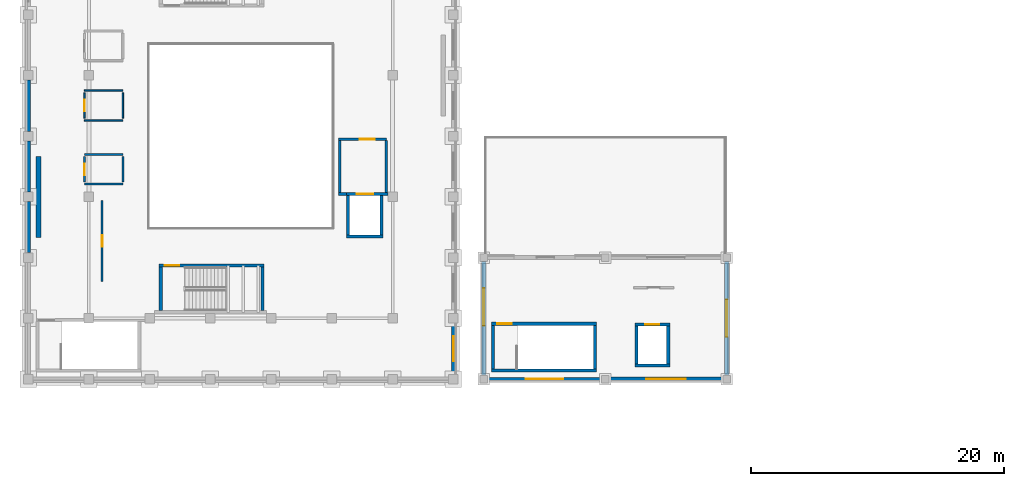
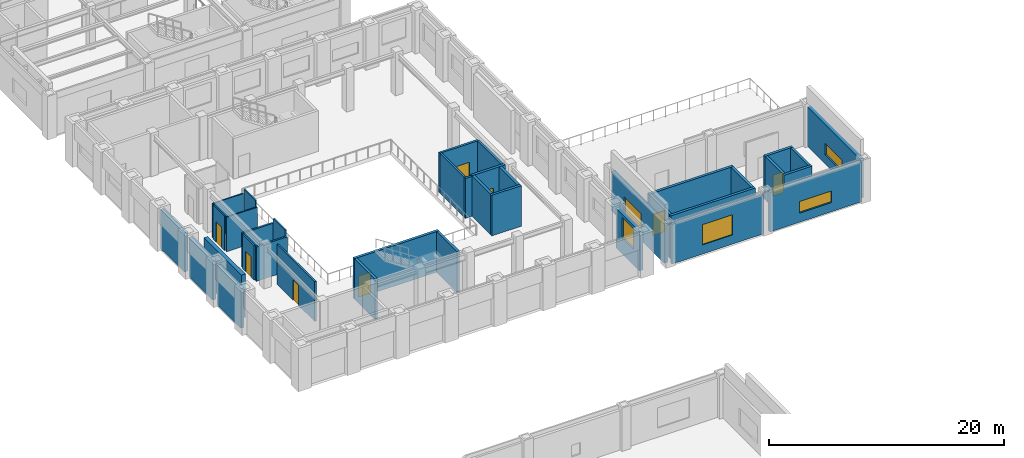
# One storey, part 27 of 46: 37 walls, 8 doors, 5 windows, 13 openings.
"""IFC4 building model written with IfcOpenShell, lengths in metres."""

from ifc_helpers import new_model, si_unit, direction, frame, frame_2d, origin, place, context, subcontext, project, spatial, rectangle, extrude, material, layer, layer_set, type_object, element, fill, save


model = new_model("IFC4")

# Units and contexts
model_context = context("Model", 3, precision=1e-05, world=origin(), true_north=direction((0.0, 1.0)))
body_context = subcontext(model_context, "Body", "Model", "MODEL_VIEW")
ifc_project = project(units=[si_unit("LENGTHUNIT", "METRE"), si_unit("AREAUNIT", "SQUARE_METRE"), si_unit("VOLUMEUNIT", "CUBIC_METRE"), si_unit("PLANEANGLEUNIT", "RADIAN"), si_unit("MASSUNIT", "GRAM", prefix="KILO")], contexts=[model_context])

# Site, building, storey
site_placement = place(None, origin())
site = spatial("IfcSite", under=ifc_project, at=site_placement, CompositionType="ELEMENT")
building_placement = place(site_placement, origin())
building = spatial("IfcBuilding", under=site, at=building_placement, Name="Mavantir Sound Aquarium", CompositionType="ELEMENT")
storey_placement = place(building_placement, frame((0.0, 0.0, 15.300048828125)))
storey = spatial("IfcBuildingStorey", under=building, at=storey_placement, Name="L03", CompositionType="ELEMENT", Elevation=15.300048828125)

# Wall, opening, window
ifc_material_1 = material(Name="Coral-Buff Architectural Precast Concrete C40/50", Category="concrete")
ifc_layer_1 = layer(ifc_material_1, 0.340087890625, Name="Coral-Buff Architectural Precast Concrete C40/50")
ifc_layer_set_1 = layer_set([ifc_layer_1], Name="Coral-Buff Architectural Precast Concrete C40/50")
wall_type_1 = type_object("IfcWallType", Name="EW-CORAL-340", PredefinedType="SOLIDWALL", material=ifc_layer_set_1)
wall_1_placement = place(storey_placement, frame((33.60009765625, 41.18310546875, 0.0), z_axis=(0.0, 0.0, 1.0), x_axis=(0.0, 1.0, 0.0)))
wall_1 = element("IfcWall", 1, at=wall_1_placement, inside=storey, type_object=wall_type_1, Name="L03 exterior facade wall EW-01 301", PredefinedType="SOLIDWALL", context=body_context, shape_type="SweptSolid", body=[
    extrude(rectangle(XDim=4.033935546875, YDim=0.340087890625, at=frame_2d((2.01708984375, 0.0))), origin(), (0.0, 0.0, 1.0), 4.074951171875),
])
opening_1_placement = place(wall_1_placement, frame((1.0419921875, 0.0, 1.64990234375)))
opening_1 = element("IfcOpeningElement", 2, at=opening_1_placement, cuts=wall_1, Name="Opening W-24", PredefinedType="OPENING", context=body_context, shape_type="SweptSolid", body=[
    extrude(rectangle(XDim=1.949951171875, YDim=2.10009765625, at=frame_2d((0.97509765625, 1.050048828125))), frame((0.0, 0.18017578125, 0.0), z_axis=(0.0, -1.0, 0.0), x_axis=(1.0, 0.0, 0.0)), (0.0, 0.0, 1.0), 0.360107421875),
])
ifc_material_2 = material(Name="Thermally Broken Aluminium and Low-E Glass", Category="aluminium")
window_type_1 = type_object("IfcWindowType", Name="WIN-EXT-24", PartitioningType="DOUBLE_PANEL_VERTICAL", PredefinedType="WINDOW", material=ifc_material_2)
window_1_placement = place(opening_1_placement, origin())
window_1 = element("IfcWindow", 3, at=window_1_placement, inside=storey, type_object=window_type_1, Name="L03 facade window W-24 120", OverallHeight=2.10009765625, OverallWidth=1.949951171875, PartitioningType="SINGLE_PANEL", PredefinedType="WINDOW", context=body_context, shape_type="SweptSolid", body=[
    extrude(rectangle(XDim=1.949951171875, YDim=2.10009765625, at=frame_2d((0.97509765625, 1.050048828125))), frame((0.0, 0.030029296875, 0.0), z_axis=(0.0, -1.0, 0.0), x_axis=(1.0, 0.0, 0.0)), (0.0, 0.0, 1.0), 0.06005859375),
])
fill(opening_1, window_1)

# Walls
for number, where, z_axis, x_axis, name in (
    (4, (0.0, 64.4169921875, 0.0), (0.0, 0.0, 1.0), (0.0, -1.0, 0.0), "L03 exterior facade wall EW-01 319"),
    (5, (0.0, 59.616943359375, 0.0), (0.0, 0.0, 1.0), (0.0, -1.0, 0.0), "L03 exterior facade wall EW-01 320"),
    (6, (0.0, 54.81689453125, 0.0), (0.0, 0.0, 1.0), (0.0, -1.0, 0.0), "L03 exterior facade wall EW-01 321"),
):
    element("IfcWall", number, at=place(storey_placement, frame(where, z_axis=z_axis, x_axis=x_axis)), inside=storey, type_object=wall_type_1, Name=name, PredefinedType="SOLIDWALL", context=body_context, shape_type="SweptSolid", body=[
        extrude(rectangle(XDim=4.033935546875, YDim=0.340087890625, at=frame_2d((2.01708984375, 0.0))), origin(), (0.0, 0.0, 1.0), 4.074951171875),
    ])

# Wall, opening, window
wall_2_placement = place(storey_placement, frame((55.199951171875, 41.10791015625, 0.0), z_axis=(0.0, 0.0, 1.0), x_axis=(0.0, 1.0, 0.0)))
wall_2 = element("IfcWall", 7, at=wall_2_placement, inside=storey, type_object=wall_type_1, Name="L03 exterior facade wall EW-01 331", PredefinedType="SOLIDWALL", context=body_context, shape_type="SweptSolid", body=[
    extrude(rectangle(XDim=8.984130859375, YDim=0.340087890625, at=frame_2d((4.4921875, 0.0))), origin(), (0.0, 0.0, 1.0), 4.1083984375),
])
opening_2_placement = place(wall_2_placement, frame((3.01708984375, 0.0, 0.949951171875)))
opening_2 = element("IfcOpeningElement", 8, at=opening_2_placement, cuts=wall_2, Name="Opening W-41", PredefinedType="OPENING", context=body_context, shape_type="SweptSolid", body=[
    extrude(rectangle(XDim=2.949951171875, YDim=1.199951171875, at=frame_2d((1.47509765625, 0.60009765625))), frame((0.0, 0.18017578125, 0.0), z_axis=(0.0, -1.0, 0.0), x_axis=(1.0, 0.0, 0.0)), (0.0, 0.0, 1.0), 0.360107421875),
])
window_type_2 = type_object("IfcWindowType", Name="WIN-EXT-41", PartitioningType="TRIPLE_PANEL_VERTICAL", PredefinedType="WINDOW", material=ifc_material_2)
window_2_placement = place(opening_2_placement, origin())
window_2 = element("IfcWindow", 9, at=window_2_placement, inside=storey, type_object=window_type_2, Name="L03 facade window W-41 137", OverallHeight=1.199951171875, OverallWidth=2.949951171875, PartitioningType="SINGLE_PANEL", PredefinedType="WINDOW", context=body_context, shape_type="SweptSolid", body=[
    extrude(rectangle(XDim=2.949951171875, YDim=1.199951171875, at=frame_2d((1.47509765625, 0.60009765625))), frame((0.0, 0.030029296875, 0.0), z_axis=(0.0, -1.0, 0.0), x_axis=(1.0, 0.0, 0.0)), (0.0, 0.0, 1.0), 0.06005859375),
])
fill(opening_2, window_2)

wall_3_placement = place(storey_placement, frame((45.907958984375, 40.800048828125, 0.0), z_axis=(0.0, 0.0, 1.0), x_axis=(1.0, 0.0, 0.0)))
wall_3 = element("IfcWall", 10, at=wall_3_placement, inside=storey, type_object=wall_type_1, Name="L03 exterior facade wall EW-01 337", PredefinedType="SOLIDWALL", context=body_context, shape_type="SweptSolid", body=[
    extrude(rectangle(XDim=8.984130859375, YDim=0.340087890625, at=frame_2d((4.4921875, 0.0))), origin(), (0.0, 0.0, 1.0), 4.1083984375),
])
opening_3_placement = place(wall_3_placement, frame((2.9169921875, 0.0, 0.949951171875)))
opening_3 = element("IfcOpeningElement", 11, at=opening_3_placement, cuts=wall_3, Name="Opening W-45", PredefinedType="OPENING", context=body_context, shape_type="SweptSolid", body=[
    extrude(rectangle(XDim=3.14990234375, YDim=1.199951171875, at=frame_2d((1.574951171875, 0.60009765625))), frame((0.0, 0.18017578125, 0.0), z_axis=(0.0, -1.0, 0.0), x_axis=(1.0, 0.0, 0.0)), (0.0, 0.0, 1.0), 0.360107421875),
])
window_type_3 = type_object("IfcWindowType", Name="WIN-EXT-45", PartitioningType="TRIPLE_PANEL_VERTICAL", PredefinedType="WINDOW", material=ifc_material_2)
window_3_placement = place(opening_3_placement, origin())
window_3 = element("IfcWindow", 12, at=window_3_placement, inside=storey, type_object=window_type_3, Name="L03 facade window W-45 141", OverallHeight=1.199951171875, OverallWidth=3.14990234375, PartitioningType="SINGLE_PANEL", PredefinedType="WINDOW", context=body_context, shape_type="SweptSolid", body=[
    extrude(rectangle(XDim=3.14990234375, YDim=1.199951171875, at=frame_2d((1.574951171875, 0.60009765625))), frame((0.0, 0.030029296875, 0.0), z_axis=(0.0, -1.0, 0.0), x_axis=(1.0, 0.0, 0.0)), (0.0, 0.0, 1.0), 0.06005859375),
])
fill(opening_3, window_3)

ifc_material_3 = material(Name="Architectural Precast Concrete C40/50", Category="concrete")
ifc_layer_2 = layer(ifc_material_3, 0.239990234375, Name="Architectural Precast Concrete C40/50")
ifc_layer_set_2 = layer_set([ifc_layer_2], Name="Architectural Precast Concrete C40/50")
wall_type_2 = type_object("IfcWallType", Name="EW-PRE-240", PredefinedType="SOLIDWALL", material=ifc_layer_set_2)
wall_4_placement = place(storey_placement, frame((36.30810546875, 40.800048828125, 0.0), z_axis=(0.0, 0.0, 1.0), x_axis=(1.0, 0.0, 0.0)))
wall_4 = element("IfcWall", 13, at=wall_4_placement, inside=storey, type_object=wall_type_2, Name="L03 exterior facade wall EW-06 336", PredefinedType="SOLIDWALL", context=body_context, shape_type="SweptSolid", body=[
    extrude(rectangle(XDim=8.98388671875, YDim=0.239990234375, at=frame_2d((4.491943359375, 0.0))), origin(), (0.0, 0.0, 1.0), 4.1083984375),
])
opening_4_placement = place(wall_4_placement, frame((3.01708984375, 0.0, 0.949951171875)))
opening_4 = element("IfcOpeningElement", 14, at=opening_4_placement, cuts=wall_4, Name="Opening W-44", PredefinedType="OPENING", context=body_context, shape_type="SweptSolid", body=[
    extrude(rectangle(XDim=2.949951171875, YDim=2.10009765625, at=frame_2d((1.47509765625, 1.050048828125))), frame((0.0, 0.1298828125, 0.0), z_axis=(0.0, -1.0, 0.0), x_axis=(1.0, 0.0, 0.0)), (0.0, 0.0, 1.0), 0.260009765625),
])
window_type_4 = type_object("IfcWindowType", Name="WIN-EXT-44", PartitioningType="TRIPLE_PANEL_VERTICAL", PredefinedType="WINDOW", material=ifc_material_2)
window_4_placement = place(opening_4_placement, origin())
window_4 = element("IfcWindow", 15, at=window_4_placement, inside=storey, type_object=window_type_4, Name="L03 facade window W-44 140", OverallHeight=2.10009765625, OverallWidth=2.949951171875, PartitioningType="SINGLE_PANEL", PredefinedType="WINDOW", context=body_context, shape_type="SweptSolid", body=[
    extrude(rectangle(XDim=2.949951171875, YDim=2.10009765625, at=frame_2d((1.47509765625, 1.050048828125))), frame((0.0, 0.030029296875, 0.0), z_axis=(0.0, -1.0, 0.0), x_axis=(1.0, 0.0, 0.0)), (0.0, 0.0, 1.0), 0.06005859375),
])
fill(opening_4, window_4)

ifc_layer_3 = layer(ifc_material_1, 0.360107421875, Name="Coral-Buff Architectural Precast Concrete C40/50")
ifc_layer_set_3 = layer_set([ifc_layer_3], Name="Coral-Buff Architectural Precast Concrete C40/50")
wall_type_3 = type_object("IfcWallType", Name="EW-PRE-360", PredefinedType="SOLIDWALL", material=ifc_layer_set_3)
wall_5_placement = place(storey_placement, frame((36.0, 50.092041015625, 0.0), z_axis=(0.0, 0.0, 1.0), x_axis=(0.0, -1.0, 0.0)))
wall_5 = element("IfcWall", 16, at=wall_5_placement, inside=storey, type_object=wall_type_3, Name="L03 exterior facade wall EW-05 335", PredefinedType="SOLIDWALL", context=body_context, shape_type="SweptSolid", body=[
    extrude(rectangle(XDim=8.984130859375, YDim=0.360107421875, at=frame_2d((4.4921875, 0.0))), origin(), (0.0, 0.0, 1.0), 4.1083984375),
])
opening_5_placement = place(wall_5_placement, frame((2.11181640625, 0.0, 0.949951171875)))
opening_5 = element("IfcOpeningElement", 17, at=opening_5_placement, cuts=wall_5, Name="Opening W-43", PredefinedType="OPENING", context=body_context, shape_type="SweptSolid", body=[
    extrude(rectangle(XDim=2.949951171875, YDim=1.800048828125, at=frame_2d((1.47509765625, 0.89990234375))), frame((0.0, 0.18994140625, 0.0), z_axis=(0.0, -1.0, 0.0), x_axis=(1.0, 0.0, 0.0)), (0.0, 0.0, 1.0), 0.380126953125),
])
window_type_5 = type_object("IfcWindowType", Name="WIN-EXT-43", PartitioningType="TRIPLE_PANEL_VERTICAL", PredefinedType="WINDOW", material=ifc_material_2)
window_5_placement = place(opening_5_placement, origin())
window_5 = element("IfcWindow", 18, at=window_5_placement, inside=storey, type_object=window_type_5, Name="L03 facade window W-43 139", OverallHeight=1.800048828125, OverallWidth=2.949951171875, PartitioningType="SINGLE_PANEL", PredefinedType="WINDOW", context=body_context, shape_type="SweptSolid", body=[
    extrude(rectangle(XDim=2.949951171875, YDim=1.800048828125, at=frame_2d((1.47509765625, 0.89990234375))), frame((0.0, 0.030029296875, 0.0), z_axis=(0.0, -1.0, 0.0), x_axis=(1.0, 0.0, 0.0)), (0.0, 0.0, 1.0), 0.06005859375),
])
fill(opening_5, window_5)

# Wall, opening, door
ifc_material_4 = material(Name="Concrete C40/50", Category="concrete")
ifc_layer_4 = layer(ifc_material_4, 0.199951171875, Name="Concrete C40/50")
ifc_layer_set_4 = layer_set([ifc_layer_4], Name="Concrete C40/50")
wall_type_4 = type_object("IfcWallType", Name="IW-FFL-200", PredefinedType="PARTITIONING", material=ifc_layer_set_4)
wall_6_placement = place(storey_placement, frame((24.5, 59.75, 0.0), z_axis=(0.0, 0.0, 1.0), x_axis=(1.0, 0.0, 0.0)))
wall_6 = element("IfcWall", 19, at=wall_6_placement, inside=storey, type_object=wall_type_4, Name="L03 firefighting lift lobby LC1 wall N", PredefinedType="PARTITIONING", context=body_context, shape_type="SweptSolid", body=[
    extrude(rectangle(XDim=3.800048828125, YDim=0.199951171875, at=frame_2d((1.89990234375, 0.0))), origin(), (0.0, 0.0, 1.0), 4.139892578125),
])
opening_6_placement = place(wall_6_placement, frame((1.699951171875, 0.0, 0.0)))
opening_6 = element("IfcOpeningElement", 20, at=opening_6_placement, cuts=wall_6, Name="Opening FD-01", PredefinedType="OPENING", context=body_context, shape_type="SweptSolid", body=[
    extrude(rectangle(XDim=1.199951171875, YDim=2.199951171875, at=frame_2d((0.60009765625, 1.10009765625))), frame((0.0, 0.10986328125, 0.0), z_axis=(0.0, -1.0, 0.0), x_axis=(1.0, 0.0, 0.0)), (0.0, 0.0, 1.0), 0.219970703125),
])
ifc_material_5 = material(Name="Fire-Rated Steel Lobby Door Leaf", Category="steel")
door_type_1 = type_object("IfcDoorType", Name="DR-FFL-120", OperationType="NOTDEFINED", PredefinedType="DOOR", material=ifc_material_5)
door_1_placement = place(opening_6_placement, origin())
door_1 = element("IfcDoor", 21, at=door_1_placement, inside=storey, type_object=door_type_1, Name="L03 firefighting lobby LC1 accommodation door", OperationType="SINGLE_SWING_RIGHT", OverallHeight=2.199951171875, OverallWidth=1.199951171875, PredefinedType="DOOR", context=body_context, shape_type="SweptSolid", body=[
    extrude(rectangle(XDim=1.199951171875, YDim=2.199951171875, at=frame_2d((0.60009765625, 1.10009765625))), frame((0.0, 0.02490234375, 0.0), z_axis=(0.0, -1.0, 0.0), x_axis=(1.0, 0.0, 0.0)), (0.0, 0.0, 1.0), 0.050048828125),
])
fill(opening_6, door_1)

# Walls
for number, where, z_axis, x_axis, name in (
    (22, (24.60009765625, 55.550048828125, 0.0), (0.0, 0.0, 1.0), (0.0, 1.0, 0.0), "L03 firefighting lift lobby LC1 wall W"),
    (23, (28.300048828125, 55.550048828125, 0.0), (0.0, 0.0, 1.0), (0.0, 1.0, 0.0), "L03 firefighting lift lobby LC1 wall E"),
):
    element("IfcWall", number, at=place(storey_placement, frame(where, z_axis=z_axis, x_axis=x_axis)), inside=storey, type_object=wall_type_4, Name=name, PredefinedType="PARTITIONING", context=body_context, shape_type="SweptSolid", body=[
        extrude(rectangle(XDim=4.099853515625, YDim=0.199951171875, at=frame_2d((2.0498046875, 0.0))), origin(), (0.0, 0.0, 1.0), 4.139892578125),
    ])
wall_7_placement = place(storey_placement, frame((24.5, 55.425048828125, 0.0), z_axis=(0.0, 0.0, 1.0), x_axis=(1.0, 0.0, 0.0)))
element("IfcWall", 24, at=wall_7_placement, inside=storey, type_object=wall_type_4, Name="L03 firefighting lift lobby LC1 return SW", PredefinedType="PARTITIONING", context=body_context, shape_type="SweptSolid", body=[
    extrude(rectangle(XDim=0.64990234375, YDim=0.199951171875, at=frame_2d((0.324951171875, 0.0))), origin(), (0.0, 0.0, 1.0), 4.139892578125),
])
ifc_material_6 = material(Name="Lightweight Partition Framing", Category="gypsum")
ifc_layer_5 = layer(ifc_material_6, 0.1201171875, Name="Lightweight Partition Framing")
ifc_layer_set_5 = layer_set([ifc_layer_5], Name="Lightweight Partition Framing")
wall_type_5 = type_object("IfcWallType", Name="IW-PART-120", PredefinedType="PARTITIONING", material=ifc_layer_set_5)
for number, where, z_axis, x_axis, name in (
    (25, (4.43994140625, 63.60009765625, 0.0), (0.0, 0.0, 1.0), (1.0, 0.0, 0.0), "L03 L03 Womens WC partition N"),
    (26, (4.43994140625, 61.25, 0.0), (0.0, 0.0, 1.0), (1.0, 0.0, 0.0), "L03 L03 Womens WC partition S"),
):
    element("IfcWall", number, at=place(storey_placement, frame(where, z_axis=z_axis, x_axis=x_axis)), inside=storey, type_object=wall_type_5, Name=name, PredefinedType="PARTITIONING", context=body_context, shape_type="SweptSolid", body=[
        extrude(rectangle(XDim=3.0400390625, YDim=0.1201171875, at=frame_2d((1.52001953125, 0.0))), origin(), (0.0, 0.0, 1.0), 3.574951171875),
    ])

# Wall, opening, door
wall_8_placement = place(storey_placement, frame((4.43994140625, 61.429931640625, 0.0), z_axis=(0.0, 0.0, 1.0), x_axis=(0.0, 1.0, 0.0)))
wall_8 = element("IfcWall", 27, at=wall_8_placement, inside=storey, type_object=wall_type_5, Name="L03 L03 Womens WC partition W", PredefinedType="PARTITIONING", context=body_context, shape_type="SweptSolid", body=[
    extrude(rectangle(XDim=1.989990234375, YDim=0.1201171875, at=frame_2d((0.9951171875, 0.0))), origin(), (0.0, 0.0, 1.0), 3.574951171875),
])
opening_7_placement = place(wall_8_placement, frame((0.534912109375, 0.0, 0.0)))
opening_7 = element("IfcOpeningElement", 28, at=opening_7_placement, cuts=wall_8, Name="Opening ID-01", PredefinedType="OPENING", context=body_context, shape_type="SweptSolid", body=[
    extrude(rectangle(XDim=0.919921875, YDim=2.1201171875, at=frame_2d((0.4599609375, 1.06005859375))), frame((0.0, 0.070068359375, 0.0), z_axis=(0.0, -1.0, 0.0), x_axis=(1.0, 0.0, 0.0)), (0.0, 0.0, 1.0), 0.14013671875),
])
ifc_material_7 = material(Name="Solid-Core Marine Hardwood and Vision-Panel Door", Category="wood")
door_type_2 = type_object("IfcDoorType", Name="DR-INT-01", OperationType="NOTDEFINED", PredefinedType="DOOR", material=ifc_material_7)
door_2_placement = place(opening_7_placement, origin())
door_2 = element("IfcDoor", 29, at=door_2_placement, inside=storey, type_object=door_type_2, Name="L03 Womens WC entrance door", OperationType="SINGLE_SWING_RIGHT", OverallHeight=2.1201171875, OverallWidth=0.919921875, PredefinedType="DOOR", context=body_context, shape_type="SweptSolid", body=[
    extrude(rectangle(XDim=0.919921875, YDim=2.1201171875, at=frame_2d((0.4599609375, 1.06005859375))), frame((0.0, 0.02490234375, 0.0), z_axis=(0.0, -1.0, 0.0), x_axis=(1.0, 0.0, 0.0)), (0.0, 0.0, 1.0), 0.050048828125),
])
fill(opening_7, door_2)

# Walls
wall_9_placement = place(storey_placement, frame((7.47998046875, 61.429931640625, 0.0), z_axis=(0.0, 0.0, 1.0), x_axis=(0.0, 1.0, 0.0)))
element("IfcWall", 30, at=wall_9_placement, inside=storey, type_object=wall_type_5, Name="L03 L03 Womens WC partition E", PredefinedType="PARTITIONING", context=body_context, shape_type="SweptSolid", body=[
    extrude(rectangle(XDim=1.989990234375, YDim=0.1201171875, at=frame_2d((0.9951171875, 0.0))), origin(), (0.0, 0.0, 1.0), 4.139892578125),
])
ifc_material_8 = material(Name="Acoustic Metal-Stud Gypsum Partition", Category="gypsum")
ifc_layer_6 = layer(ifc_material_8, 0.159912109375, Name="Acoustic Metal-Stud Gypsum Partition")
ifc_layer_set_6 = layer_set([ifc_layer_6], Name="Acoustic Metal-Stud Gypsum Partition")
wall_type_6 = type_object("IfcWallType", Name="IW-PART-160", PredefinedType="PARTITIONING", material=ifc_layer_set_6)
for number, where, z_axis, x_axis, name in (
    (31, (4.43994140625, 58.550048828125, 0.0), (0.0, 0.0, 1.0), (1.0, 0.0, 0.0), "L03 L03 Mens WC partition N"),
    (32, (4.43994140625, 56.199951171875, 0.0), (0.0, 0.0, 1.0), (1.0, 0.0, 0.0), "L03 L03 Mens WC partition S"),
):
    element("IfcWall", number, at=place(storey_placement, frame(where, z_axis=z_axis, x_axis=x_axis)), inside=storey, type_object=wall_type_6, Name=name, PredefinedType="PARTITIONING", context=body_context, shape_type="SweptSolid", body=[
        extrude(rectangle(XDim=3.0400390625, YDim=0.159912109375, at=frame_2d((1.52001953125, 0.0))), origin(), (0.0, 0.0, 1.0), 3.574951171875),
    ])

# Wall, opening, door
wall_10_placement = place(storey_placement, frame((4.43994140625, 56.3798828125, 0.0), z_axis=(0.0, 0.0, 1.0), x_axis=(0.0, 1.0, 0.0)))
wall_10 = element("IfcWall", 33, at=wall_10_placement, inside=storey, type_object=wall_type_6, Name="L03 L03 Mens WC partition W", PredefinedType="PARTITIONING", context=body_context, shape_type="SweptSolid", body=[
    extrude(rectangle(XDim=1.990234375, YDim=0.159912109375, at=frame_2d((0.9951171875, 0.0))), origin(), (0.0, 0.0, 1.0), 3.574951171875),
])
opening_8_placement = place(wall_10_placement, frame((0.534912109375, 0.0, 0.0)))
opening_8 = element("IfcOpeningElement", 34, at=opening_8_placement, cuts=wall_10, Name="Opening ID-01", PredefinedType="OPENING", context=body_context, shape_type="SweptSolid", body=[
    extrude(rectangle(XDim=0.919921875, YDim=2.1201171875, at=frame_2d((0.4599609375, 1.06005859375))), frame((0.0, 0.08984375, 0.0), z_axis=(0.0, -1.0, 0.0), x_axis=(1.0, 0.0, 0.0)), (0.0, 0.0, 1.0), 0.179931640625),
])
door_3_placement = place(opening_8_placement, origin())
door_3 = element("IfcDoor", 35, at=door_3_placement, inside=storey, type_object=door_type_2, Name="L03 Mens WC entrance door", OperationType="SINGLE_SWING_LEFT", OverallHeight=2.1201171875, OverallWidth=0.919921875, PredefinedType="DOOR", context=body_context, shape_type="SweptSolid", body=[
    extrude(rectangle(XDim=0.919921875, YDim=2.1201171875, at=frame_2d((0.4599609375, 1.06005859375))), frame((0.0, 0.02490234375, 0.0), z_axis=(0.0, -1.0, 0.0), x_axis=(1.0, 0.0, 0.0)), (0.0, 0.0, 1.0), 0.050048828125),
])
fill(opening_8, door_3)

# Wall
wall_11_placement = place(storey_placement, frame((7.47998046875, 56.3798828125, 0.0), z_axis=(0.0, 0.0, 1.0), x_axis=(0.0, 1.0, 0.0)))
element("IfcWall", 36, at=wall_11_placement, inside=storey, type_object=wall_type_6, Name="L03 L03 Mens WC partition E", PredefinedType="PARTITIONING", context=body_context, shape_type="SweptSolid", body=[
    extrude(rectangle(XDim=1.990234375, YDim=0.159912109375, at=frame_2d((0.9951171875, 0.0))), origin(), (0.0, 0.0, 1.0), 4.139892578125),
])

# Wall, opening, door
wall_12_placement = place(storey_placement, frame((5.84423828125, 48.5, 0.0), z_axis=(0.0, 0.0, 1.0), x_axis=(0.0, 1.0, 0.0)))
wall_12 = element("IfcWall", 37, at=wall_12_placement, inside=storey, type_object=wall_type_6, Name="L03 Ocean Tank Surface Wet-Deck and Husbandry Dive Platform entry partition", PredefinedType="PARTITIONING", context=body_context, shape_type="SweptSolid", body=[
    extrude(rectangle(XDim=6.39990234375, YDim=0.159912109375, at=frame_2d((3.199951171875, 0.0))), origin(), (0.0, 0.0, 1.0), 4.139892578125),
])
opening_9_placement = place(wall_12_placement, frame((2.739990234375, 0.0, 0.0)))
opening_9 = element("IfcOpeningElement", 38, at=opening_9_placement, cuts=wall_12, Name="Opening ID-01", PredefinedType="OPENING", context=body_context, shape_type="SweptSolid", body=[
    extrude(rectangle(XDim=0.919921875, YDim=2.1201171875, at=frame_2d((0.4599609375, 1.06005859375))), frame((0.0, 0.08984375, 0.0), z_axis=(0.0, -1.0, 0.0), x_axis=(1.0, 0.0, 0.0)), (0.0, 0.0, 1.0), 0.179931640625),
])
door_4_placement = place(opening_9_placement, origin())
door_4 = element("IfcDoor", 39, at=door_4_placement, inside=storey, type_object=door_type_2, Name="Ocean Tank Surface Wet-Deck and Husbandry Dive Platform door", OperationType="SINGLE_SWING_RIGHT", OverallHeight=2.1201171875, OverallWidth=0.919921875, PredefinedType="DOOR", context=body_context, shape_type="SweptSolid", body=[
    extrude(rectangle(XDim=0.919921875, YDim=2.1201171875, at=frame_2d((0.4599609375, 1.06005859375))), frame((0.0, 0.02490234375, 0.0), z_axis=(0.0, -1.0, 0.0), x_axis=(1.0, 0.0, 0.0)), (0.0, 0.0, 1.0), 0.050048828125),
])
fill(opening_9, door_4)

ifc_layer_7 = layer(ifc_material_4, 0.25, Name="Concrete C40/50")
ifc_layer_set_7 = layer_set([ifc_layer_7], Name="Concrete C40/50")
wall_type_7 = type_object("IfcWallType", Name="IW-SHAFT-250", PredefinedType="SHEAR", material=ifc_layer_set_7)
wall_13_placement = place(storey_placement, frame((18.64990234375, 49.77490234375, 0.0), z_axis=(0.0, 0.0, 1.0), x_axis=(-1.0, 0.0, 0.0)))
wall_13 = element("IfcWall", 40, at=wall_13_placement, inside=storey, type_object=wall_type_7, Name="L03 stair ST9 shaft wall N", PredefinedType="SHEAR", context=body_context, shape_type="SweptSolid", body=[
    extrude(rectangle(XDim=8.2998046875, YDim=0.25, at=frame_2d((4.14990234375, 0.0))), origin(), (0.0, 0.0, 1.0), 4.219970703125),
])
opening_10_placement = place(wall_13_placement, frame((7.849853515625, 0.0, 0.0), z_axis=(0.0, 0.0, 1.0), x_axis=(-1.0, 0.0, 0.0)))
opening_10 = element("IfcOpeningElement", 41, at=opening_10_placement, cuts=wall_13, Name="Opening SD-02", PredefinedType="OPENING", context=body_context, shape_type="SweptSolid", body=[
    extrude(rectangle(XDim=1.14990234375, YDim=2.199951171875, at=frame_2d((0.574951171875, 1.10009765625))), frame((0.0, 0.135009765625, 0.0), z_axis=(0.0, -1.0, 0.0), x_axis=(1.0, 0.0, 0.0)), (0.0, 0.0, 1.0), 0.27001953125),
])
ifc_material_9 = material(Name="Fire-Rated Steel Acoustic Door Leaf", Category="steel")
door_type_3 = type_object("IfcDoorType", Name="DR-ST-115", OperationType="NOTDEFINED", PredefinedType="DOOR", material=ifc_material_9)
door_5_placement = place(opening_10_placement, origin())
door_5 = element("IfcDoor", 42, at=door_5_placement, inside=storey, type_object=door_type_3, Name="L03 protected exit stair ST9 door", OperationType="SINGLE_SWING_LEFT", OverallHeight=2.199951171875, OverallWidth=1.14990234375, PredefinedType="DOOR", context=body_context, shape_type="SweptSolid", body=[
    extrude(rectangle(XDim=1.14990234375, YDim=2.199951171875, at=frame_2d((0.574951171875, 1.10009765625))), frame((0.0, 0.02490234375, 0.0), z_axis=(0.0, -1.0, 0.0), x_axis=(1.0, 0.0, 0.0)), (0.0, 0.0, 1.0), 0.050048828125),
])
fill(opening_10, door_5)

# Walls
for number, where, z_axis, x_axis, name in (
    (43, (10.47509765625, 49.64990234375, 0.0), (0.0, 0.0, 1.0), (0.0, -1.0, 0.0), "L03 stair ST9 shaft wall W"),
    (44, (18.52490234375, 46.199951171875, 0.0), (0.0, 0.0, 1.0), (0.0, 1.0, 0.0), "L03 stair ST9 shaft wall E"),
):
    element("IfcWall", number, at=place(storey_placement, frame(where, z_axis=z_axis, x_axis=x_axis)), inside=storey, type_object=wall_type_7, Name=name, PredefinedType="SHEAR", context=body_context, shape_type="SweptSolid", body=[
        extrude(rectangle(XDim=3.449951171875, YDim=0.25, at=frame_2d((1.72509765625, 0.0))), origin(), (0.0, 0.0, 1.0), 4.219970703125),
    ])
wall_14_placement = place(storey_placement, frame((36.60009765625, 41.47509765625, 0.0), z_axis=(0.0, 0.0, 1.0), x_axis=(1.0, 0.0, 0.0)))
element("IfcWall", 45, at=wall_14_placement, inside=storey, type_object=wall_type_7, Name="L03 stair ST8 shaft wall S", PredefinedType="SHEAR", context=body_context, shape_type="SweptSolid", body=[
    extrude(rectangle(XDim=8.2998046875, YDim=0.25, at=frame_2d((4.14990234375, 0.0))), origin(), (0.0, 0.0, 1.0), 4.5),
])

# Wall, opening, door
wall_15_placement = place(storey_placement, frame((44.89990234375, 45.175048828125, 0.0), z_axis=(0.0, 0.0, 1.0), x_axis=(-1.0, 0.0, 0.0)))
wall_15 = element("IfcWall", 46, at=wall_15_placement, inside=storey, type_object=wall_type_7, Name="L03 stair ST8 shaft wall N", PredefinedType="SHEAR", context=body_context, shape_type="SweptSolid", body=[
    extrude(rectangle(XDim=8.2998046875, YDim=0.25, at=frame_2d((4.14990234375, 0.0))), origin(), (0.0, 0.0, 1.0), 4.5),
])
opening_11_placement = place(wall_15_placement, frame((7.849853515625, 0.0, 0.0), z_axis=(0.0, 0.0, 1.0), x_axis=(-1.0, 0.0, 0.0)))
opening_11 = element("IfcOpeningElement", 47, at=opening_11_placement, cuts=wall_15, Name="Opening SD-02", PredefinedType="OPENING", context=body_context, shape_type="SweptSolid", body=[
    extrude(rectangle(XDim=1.14990234375, YDim=2.199951171875, at=frame_2d((0.574951171875, 1.10009765625))), frame((0.0, 0.135009765625, 0.0), z_axis=(0.0, -1.0, 0.0), x_axis=(1.0, 0.0, 0.0)), (0.0, 0.0, 1.0), 0.27001953125),
])
door_6_placement = place(opening_11_placement, origin())
door_6 = element("IfcDoor", 48, at=door_6_placement, inside=storey, type_object=door_type_3, Name="L03 protected exit stair ST8 door", OperationType="SINGLE_SWING_RIGHT", OverallHeight=2.199951171875, OverallWidth=1.14990234375, PredefinedType="DOOR", context=body_context, shape_type="SweptSolid", body=[
    extrude(rectangle(XDim=1.14990234375, YDim=2.199951171875, at=frame_2d((0.574951171875, 1.10009765625))), frame((0.0, 0.02490234375, 0.0), z_axis=(0.0, -1.0, 0.0), x_axis=(1.0, 0.0, 0.0)), (0.0, 0.0, 1.0), 0.050048828125),
])
fill(opening_11, door_6)

# Walls
for number, where, z_axis, x_axis, name in (
    (49, (36.72509765625, 45.050048828125, 0.0), (0.0, 0.0, 1.0), (0.0, -1.0, 0.0), "L03 stair ST8 shaft wall W"),
    (50, (44.77490234375, 41.60009765625, 0.0), (0.0, 0.0, 1.0), (0.0, 1.0, 0.0), "L03 stair ST8 shaft wall E"),
):
    element("IfcWall", number, at=place(storey_placement, frame(where, z_axis=z_axis, x_axis=x_axis)), inside=storey, type_object=wall_type_7, Name=name, PredefinedType="SHEAR", context=body_context, shape_type="SweptSolid", body=[
        extrude(rectangle(XDim=3.449951171875, YDim=0.25, at=frame_2d((1.72509765625, 0.0))), origin(), (0.0, 0.0, 1.0), 4.5),
    ])
wall_16_placement = place(storey_placement, frame((25.14990234375, 52.074951171875, 0.0), z_axis=(0.0, 0.0, 1.0), x_axis=(1.0, 0.0, 0.0)))
element("IfcWall", 51, at=wall_16_placement, inside=storey, type_object=wall_type_7, Name="L03 lift LC1 shaft wall S", PredefinedType="SHEAR", context=body_context, shape_type="SweptSolid", body=[
    extrude(rectangle(XDim=2.900146484375, YDim=0.25, at=frame_2d((1.4501953125, 0.0))), origin(), (0.0, 0.0, 1.0), 4.219970703125),
])

# Wall, opening, door
wall_17_placement = place(storey_placement, frame((25.14990234375, 55.425048828125, 0.0), z_axis=(0.0, 0.0, 1.0), x_axis=(1.0, 0.0, 0.0)))
wall_17 = element("IfcWall", 52, at=wall_17_placement, inside=storey, type_object=wall_type_7, Name="L03 lift LC1 shaft wall N", PredefinedType="SHEAR", context=body_context, shape_type="SweptSolid", body=[
    extrude(rectangle(XDim=3.275146484375, YDim=0.25, at=frame_2d((1.6376953125, 0.0))), origin(), (0.0, 0.0, 1.0), 4.219970703125),
])
opening_12_placement = place(wall_17_placement, frame((0.800048828125, 0.0, 0.0)))
opening_12 = element("IfcOpeningElement", 53, at=opening_12_placement, cuts=wall_17, Name="Opening LD-01", PredefinedType="OPENING", context=body_context, shape_type="SweptSolid", body=[
    extrude(rectangle(XDim=1.300048828125, YDim=2.199951171875, at=frame_2d((0.64990234375, 1.10009765625))), frame((0.0, 0.135009765625, 0.0), z_axis=(0.0, -1.0, 0.0), x_axis=(1.0, 0.0, 0.0)), (0.0, 0.0, 1.0), 0.27001953125),
])
ifc_material_10 = material(Name="Stainless Steel 316 Sliding Lift Landing Door", Category="steel")
door_type_4 = type_object("IfcDoorType", Name="DR-LD-130", OperationType="NOTDEFINED", PredefinedType="DOOR", material=ifc_material_10)
door_7_placement = place(opening_12_placement, origin())
door_7 = element("IfcDoor", 54, at=door_7_placement, inside=storey, type_object=door_type_4, Name="Lift LC1 sliding landing door (L03)", OperationType="DOUBLE_DOOR_SLIDING", OverallHeight=2.199951171875, OverallWidth=1.300048828125, PredefinedType="DOOR", context=body_context, shape_type="SweptSolid", body=[
    extrude(rectangle(XDim=1.300048828125, YDim=2.199951171875, at=frame_2d((0.64990234375, 1.10009765625))), frame((0.0, 0.02490234375, 0.0), z_axis=(0.0, -1.0, 0.0), x_axis=(1.0, 0.0, 0.0)), (0.0, 0.0, 1.0), 0.050048828125),
])
fill(opening_12, door_7)

# Walls
for number, where, z_axis, x_axis, name in (
    (55, (25.27490234375, 52.199951171875, 0.0), (0.0, 0.0, 1.0), (0.0, 1.0, 0.0), "L03 lift LC1 shaft wall W"),
    (56, (27.925048828125, 52.199951171875, 0.0), (0.0, 0.0, 1.0), (0.0, 1.0, 0.0), "L03 lift LC1 shaft wall E"),
):
    element("IfcWall", number, at=place(storey_placement, frame(where, z_axis=z_axis, x_axis=x_axis)), inside=storey, type_object=wall_type_7, Name=name, PredefinedType="SHEAR", context=body_context, shape_type="SweptSolid", body=[
        extrude(rectangle(XDim=3.10009765625, YDim=0.25, at=frame_2d((1.550048828125, 0.0))), origin(), (0.0, 0.0, 1.0), 4.219970703125),
    ])
wall_18_placement = place(storey_placement, frame((47.949951171875, 41.875, 0.0), z_axis=(0.0, 0.0, 1.0), x_axis=(1.0, 0.0, 0.0)))
element("IfcWall", 57, at=wall_18_placement, inside=storey, type_object=wall_type_7, Name="L03 lift LC5 shaft wall S", PredefinedType="SHEAR", context=body_context, shape_type="SweptSolid", body=[
    extrude(rectangle(XDim=2.75, YDim=0.25, at=frame_2d((1.375, 0.0))), origin(), (0.0, 0.0, 1.0), 4.5),
])

# Wall, opening, door
wall_19_placement = place(storey_placement, frame((47.949951171875, 45.125, 0.0), z_axis=(0.0, 0.0, 1.0), x_axis=(1.0, 0.0, 0.0)))
wall_19 = element("IfcWall", 58, at=wall_19_placement, inside=storey, type_object=wall_type_7, Name="L03 lift LC5 shaft wall N", PredefinedType="SHEAR", context=body_context, shape_type="SweptSolid", body=[
    extrude(rectangle(XDim=2.75, YDim=0.25, at=frame_2d((1.375, 0.0))), origin(), (0.0, 0.0, 1.0), 4.5),
])
opening_13_placement = place(wall_19_placement, frame((0.824951171875, 0.0, 0.0)))
opening_13 = element("IfcOpeningElement", 59, at=opening_13_placement, cuts=wall_19, Name="Opening LD-02", PredefinedType="OPENING", context=body_context, shape_type="SweptSolid", body=[
    extrude(rectangle(XDim=1.10009765625, YDim=2.199951171875, at=frame_2d((0.550048828125, 1.10009765625))), frame((0.0, 0.135009765625, 0.0), z_axis=(0.0, -1.0, 0.0), x_axis=(1.0, 0.0, 0.0)), (0.0, 0.0, 1.0), 0.27001953125),
])
door_type_5 = type_object("IfcDoorType", Name="DR-LD-110", OperationType="NOTDEFINED", PredefinedType="DOOR", material=ifc_material_10)
door_8_placement = place(opening_13_placement, origin())
door_8 = element("IfcDoor", 60, at=door_8_placement, inside=storey, type_object=door_type_5, Name="Lift LC5 sliding landing door (L03)", OperationType="DOUBLE_DOOR_SLIDING", OverallHeight=2.199951171875, OverallWidth=1.10009765625, PredefinedType="DOOR", context=body_context, shape_type="SweptSolid", body=[
    extrude(rectangle(XDim=1.10009765625, YDim=2.199951171875, at=frame_2d((0.550048828125, 1.10009765625))), frame((0.0, 0.02490234375, 0.0), z_axis=(0.0, -1.0, 0.0), x_axis=(1.0, 0.0, 0.0)), (0.0, 0.0, 1.0), 0.050048828125),
])
fill(opening_13, door_8)

# Walls
for number, where, z_axis, x_axis, name in (
    (61, (48.074951171875, 42.0, 0.0), (0.0, 0.0, 1.0), (0.0, 1.0, 0.0), "L03 lift LC5 shaft wall W"),
    (62, (50.574951171875, 42.0, 0.0), (0.0, 0.0, 1.0), (0.0, 1.0, 0.0), "L03 lift LC5 shaft wall E"),
):
    element("IfcWall", number, at=place(storey_placement, frame(where, z_axis=z_axis, x_axis=x_axis)), inside=storey, type_object=wall_type_7, Name=name, PredefinedType="SHEAR", context=body_context, shape_type="SweptSolid", body=[
        extrude(rectangle(XDim=3.0, YDim=0.25, at=frame_2d((1.5, 0.0))), origin(), (0.0, 0.0, 1.0), 4.5),
    ])
ifc_layer_8 = layer(ifc_material_4, 0.3798828125, Name="Concrete C40/50")
ifc_layer_set_8 = layer_set([ifc_layer_8], Name="Concrete C40/50")
wall_type_8 = type_object("IfcWallType", Name="SW-SHR-380", PredefinedType="SHEAR", material=ifc_layer_set_8)
wall_20_placement = place(storey_placement, frame((0.800048828125, 52.0, 0.0), z_axis=(0.0, 0.0, 1.0), x_axis=(0.0, 1.0, 0.0)))
element("IfcWall", 63, at=wall_20_placement, inside=storey, type_object=wall_type_8, Name="L03 special RC shear wall 6 (V1)", PredefinedType="SHEAR", context=body_context, shape_type="SweptSolid", body=[
    extrude(rectangle(XDim=6.39990234375, YDim=0.3798828125, at=frame_2d((3.199951171875, 0.0))), origin(), (0.0, 0.0, 1.0), 4.5),
])

save(model, "model.ifc")
